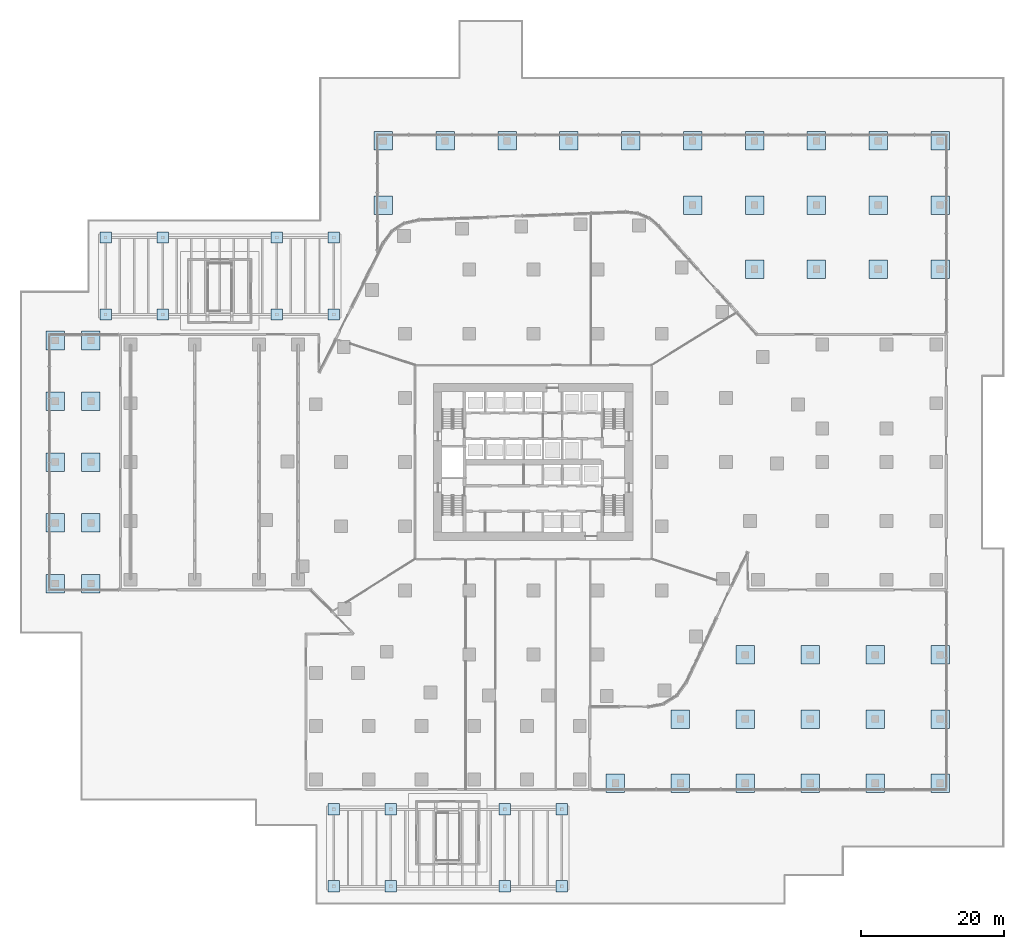
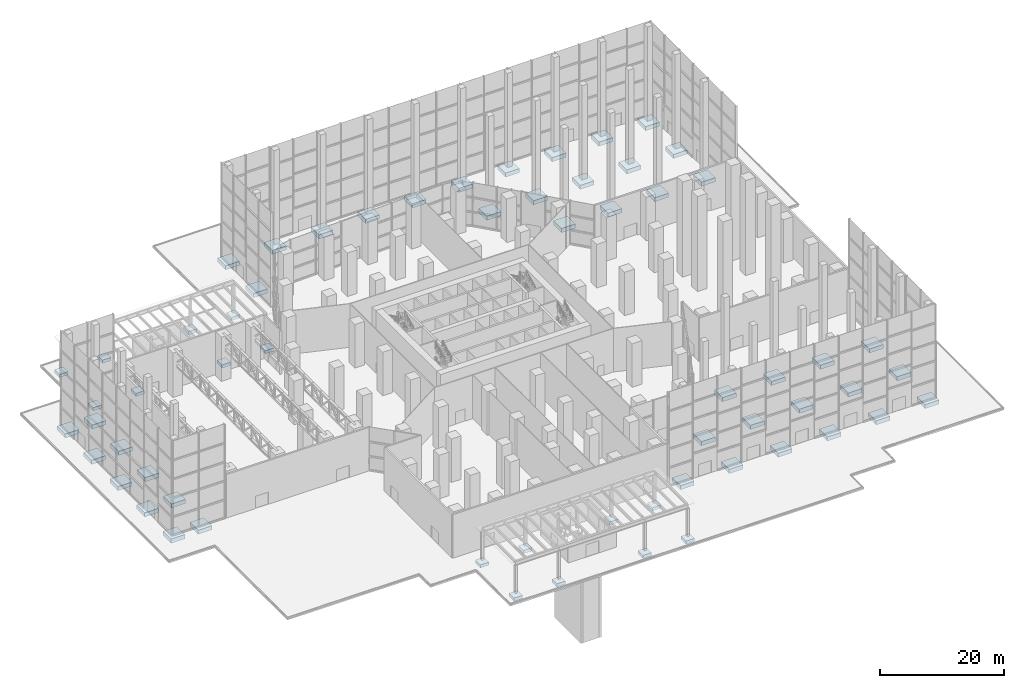
# One storey, part 1 of 40: 61 footings.
"""IFC4 building model written with IfcOpenShell, lengths in metres."""

from ifc_helpers import new_model, si_unit, direction, frame, origin, place, context, subcontext, project, spatial, polyline, outline, extrude, material, layer, layer_set, type_object, element, save


model = new_model("IFC4")

# Units and contexts
model_context = context("Model", 3, precision=1e-05, world=origin(), true_north=direction((0.0, 1.0)))
body_context = subcontext(model_context, "Body", "Model", "MODEL_VIEW")
ifc_project = project(units=[si_unit("LENGTHUNIT", "METRE"), si_unit("AREAUNIT", "SQUARE_METRE"), si_unit("VOLUMEUNIT", "CUBIC_METRE"), si_unit("PLANEANGLEUNIT", "RADIAN"), si_unit("MASSUNIT", "GRAM", prefix="KILO")], contexts=[model_context])

# Site, building, storey
site_placement = place(None, origin())
site = spatial("IfcSite", under=ifc_project, at=site_placement, CompositionType="ELEMENT")
building_placement = place(site_placement, origin())
building = spatial("IfcBuilding", under=site, at=building_placement, Name="Dongbaek Canopy Tower", CompositionType="ELEMENT")
storey_placement = place(building_placement, origin())
storey = spatial("IfcBuildingStorey", under=building, at=storey_placement, Name="L00", CompositionType="ELEMENT", Elevation=0.0)

# Footings
ifc_material_1 = material(Name="Concrete C40", Category="concrete")
ifc_layer_1 = layer(ifc_material_1, 0.60009765625)
ifc_layer_set_1 = layer_set([ifc_layer_1], Name="Canopy pad footing 1600 x 600 Concrete C40")
footing_type_1 = type_object("IfcFootingType", Name="Canopy pad footing 1600 x 600 Concrete C40", PredefinedType="PAD_FOOTING", material=ifc_layer_set_1)
footing_1_placement = place(storey_placement, frame((0.0, 0.0, -0.89990234375)))
element("IfcFooting", 1, at=footing_1_placement, inside=storey, type_object=footing_type_1, Name="Station canopy A footing 1", PredefinedType="PAD_FOOTING", context=body_context, shape_type="SweptSolid", body=[
    extrude(outline(polyline([(-28.800048828125, -49.5), (-27.199951171875, -49.5), (-27.199951171875, -47.89990234375), (-28.800048828125, -47.89990234375), (-28.800048828125, -49.5)])), origin(), (0.0, 0.0, 1.0), 0.599853515625),
])
footing_2_placement = place(storey_placement, frame((0.0, 0.0, -0.89990234375)))
element("IfcFooting", 2, at=footing_2_placement, inside=storey, type_object=footing_type_1, Name="Station canopy A footing 2", PredefinedType="PAD_FOOTING", context=body_context, shape_type="SweptSolid", body=[
    extrude(outline(polyline([(-28.800048828125, -60.300048828125), (-27.199951171875, -60.300048828125), (-27.199951171875, -58.699951171875), (-28.800048828125, -58.699951171875), (-28.800048828125, -60.300048828125)])), origin(), (0.0, 0.0, 1.0), 0.599853515625),
])
footing_3_placement = place(storey_placement, frame((0.0, 0.0, -0.89990234375)))
element("IfcFooting", 3, at=footing_3_placement, inside=storey, type_object=footing_type_1, Name="Station canopy A footing 3", PredefinedType="PAD_FOOTING", context=body_context, shape_type="SweptSolid", body=[
    extrude(outline(polyline([(-20.800048828125, -49.5), (-19.199951171875, -49.5), (-19.199951171875, -47.89990234375), (-20.800048828125, -47.89990234375), (-20.800048828125, -49.5)])), origin(), (0.0, 0.0, 1.0), 0.599853515625),
])
footing_4_placement = place(storey_placement, frame((0.0, 0.0, -0.89990234375)))
element("IfcFooting", 4, at=footing_4_placement, inside=storey, type_object=footing_type_1, Name="Station canopy A footing 4", PredefinedType="PAD_FOOTING", context=body_context, shape_type="SweptSolid", body=[
    extrude(outline(polyline([(-20.800048828125, -60.300048828125), (-19.199951171875, -60.300048828125), (-19.199951171875, -58.699951171875), (-20.800048828125, -58.699951171875), (-20.800048828125, -60.300048828125)])), origin(), (0.0, 0.0, 1.0), 0.599853515625),
])
footing_5_placement = place(storey_placement, frame((0.0, 0.0, -0.89990234375)))
element("IfcFooting", 5, at=footing_5_placement, inside=storey, type_object=footing_type_1, Name="Station canopy A footing 5", PredefinedType="PAD_FOOTING", context=body_context, shape_type="SweptSolid", body=[
    extrude(outline(polyline([(-4.800048828125, -49.5), (-3.199951171875, -49.5), (-3.199951171875, -47.89990234375), (-4.800048828125, -47.89990234375), (-4.800048828125, -49.5)])), origin(), (0.0, 0.0, 1.0), 0.599853515625),
])
footing_6_placement = place(storey_placement, frame((0.0, 0.0, -0.89990234375)))
element("IfcFooting", 6, at=footing_6_placement, inside=storey, type_object=footing_type_1, Name="Station canopy A footing 6", PredefinedType="PAD_FOOTING", context=body_context, shape_type="SweptSolid", body=[
    extrude(outline(polyline([(-4.800048828125, -60.300048828125), (-3.199951171875, -60.300048828125), (-3.199951171875, -58.699951171875), (-4.800048828125, -58.699951171875), (-4.800048828125, -60.300048828125)])), origin(), (0.0, 0.0, 1.0), 0.599853515625),
])
footing_7_placement = place(storey_placement, frame((0.0, 0.0, -0.89990234375)))
element("IfcFooting", 7, at=footing_7_placement, inside=storey, type_object=footing_type_1, Name="Station canopy A footing 7", PredefinedType="PAD_FOOTING", context=body_context, shape_type="SweptSolid", body=[
    extrude(outline(polyline([(3.199951171875, -49.5), (4.800048828125, -49.5), (4.800048828125, -47.89990234375), (3.199951171875, -47.89990234375), (3.199951171875, -49.5)])), origin(), (0.0, 0.0, 1.0), 0.599853515625),
])
footing_8_placement = place(storey_placement, frame((0.0, 0.0, -0.89990234375)))
element("IfcFooting", 8, at=footing_8_placement, inside=storey, type_object=footing_type_1, Name="Station canopy A footing 8", PredefinedType="PAD_FOOTING", context=body_context, shape_type="SweptSolid", body=[
    extrude(outline(polyline([(3.199951171875, -60.300048828125), (4.800048828125, -60.300048828125), (4.800048828125, -58.699951171875), (3.199951171875, -58.699951171875), (3.199951171875, -60.300048828125)])), origin(), (0.0, 0.0, 1.0), 0.599853515625),
])
footing_9_placement = place(storey_placement, frame((0.0, 0.0, -0.89990234375)))
element("IfcFooting", 9, at=footing_9_placement, inside=storey, type_object=footing_type_1, Name="Station canopy B footing 1", PredefinedType="PAD_FOOTING", context=body_context, shape_type="SweptSolid", body=[
    extrude(outline(polyline([(-60.800048828125, 19.89990234375), (-59.199951171875, 19.89990234375), (-59.199951171875, 21.5), (-60.800048828125, 21.5), (-60.800048828125, 19.89990234375)])), origin(), (0.0, 0.0, 1.0), 0.599853515625),
])
footing_10_placement = place(storey_placement, frame((0.0, 0.0, -0.89990234375)))
element("IfcFooting", 10, at=footing_10_placement, inside=storey, type_object=footing_type_1, Name="Station canopy B footing 2", PredefinedType="PAD_FOOTING", context=body_context, shape_type="SweptSolid", body=[
    extrude(outline(polyline([(-60.800048828125, 30.699951171875), (-59.199951171875, 30.699951171875), (-59.199951171875, 32.300048828125), (-60.800048828125, 32.300048828125), (-60.800048828125, 30.699951171875)])), origin(), (0.0, 0.0, 1.0), 0.599853515625),
])
footing_11_placement = place(storey_placement, frame((0.0, 0.0, -0.89990234375)))
element("IfcFooting", 11, at=footing_11_placement, inside=storey, type_object=footing_type_1, Name="Station canopy B footing 3", PredefinedType="PAD_FOOTING", context=body_context, shape_type="SweptSolid", body=[
    extrude(outline(polyline([(-52.800048828125, 19.89990234375), (-51.199951171875, 19.89990234375), (-51.199951171875, 21.5), (-52.800048828125, 21.5), (-52.800048828125, 19.89990234375)])), origin(), (0.0, 0.0, 1.0), 0.599853515625),
])
footing_12_placement = place(storey_placement, frame((0.0, 0.0, -0.89990234375)))
element("IfcFooting", 12, at=footing_12_placement, inside=storey, type_object=footing_type_1, Name="Station canopy B footing 4", PredefinedType="PAD_FOOTING", context=body_context, shape_type="SweptSolid", body=[
    extrude(outline(polyline([(-52.800048828125, 30.699951171875), (-51.199951171875, 30.699951171875), (-51.199951171875, 32.300048828125), (-52.800048828125, 32.300048828125), (-52.800048828125, 30.699951171875)])), origin(), (0.0, 0.0, 1.0), 0.599853515625),
])
footing_13_placement = place(storey_placement, frame((0.0, 0.0, -0.89990234375)))
element("IfcFooting", 13, at=footing_13_placement, inside=storey, type_object=footing_type_1, Name="Station canopy B footing 5", PredefinedType="PAD_FOOTING", context=body_context, shape_type="SweptSolid", body=[
    extrude(outline(polyline([(-36.800048828125, 19.89990234375), (-35.199951171875, 19.89990234375), (-35.199951171875, 21.5), (-36.800048828125, 21.5), (-36.800048828125, 19.89990234375)])), origin(), (0.0, 0.0, 1.0), 0.599853515625),
])
footing_14_placement = place(storey_placement, frame((0.0, 0.0, -0.89990234375)))
element("IfcFooting", 14, at=footing_14_placement, inside=storey, type_object=footing_type_1, Name="Station canopy B footing 6", PredefinedType="PAD_FOOTING", context=body_context, shape_type="SweptSolid", body=[
    extrude(outline(polyline([(-36.800048828125, 30.699951171875), (-35.199951171875, 30.699951171875), (-35.199951171875, 32.300048828125), (-36.800048828125, 32.300048828125), (-36.800048828125, 30.699951171875)])), origin(), (0.0, 0.0, 1.0), 0.599853515625),
])
footing_15_placement = place(storey_placement, frame((0.0, 0.0, -0.89990234375)))
element("IfcFooting", 15, at=footing_15_placement, inside=storey, type_object=footing_type_1, Name="Station canopy B footing 7", PredefinedType="PAD_FOOTING", context=body_context, shape_type="SweptSolid", body=[
    extrude(outline(polyline([(-28.800048828125, 19.89990234375), (-27.199951171875, 19.89990234375), (-27.199951171875, 21.5), (-28.800048828125, 21.5), (-28.800048828125, 19.89990234375)])), origin(), (0.0, 0.0, 1.0), 0.599853515625),
])
footing_16_placement = place(storey_placement, frame((0.0, 0.0, -0.89990234375)))
element("IfcFooting", 16, at=footing_16_placement, inside=storey, type_object=footing_type_1, Name="Station canopy B footing 8", PredefinedType="PAD_FOOTING", context=body_context, shape_type="SweptSolid", body=[
    extrude(outline(polyline([(-28.800048828125, 30.699951171875), (-27.199951171875, 30.699951171875), (-27.199951171875, 32.300048828125), (-28.800048828125, 32.300048828125), (-28.800048828125, 30.699951171875)])), origin(), (0.0, 0.0, 1.0), 0.599853515625),
])
ifc_material_2 = material(Name="Concrete C40", Category="concrete")
ifc_layer_2 = layer(ifc_material_2, 0.800048828125)
ifc_layer_set_2 = layer_set([ifc_layer_2], Name="Hall pad footing 2600 x 800 Concrete C40")
footing_type_2 = type_object("IfcFootingType", Name="Hall pad footing 2600 x 800 Concrete C40", PredefinedType="PAD_FOOTING", material=ifc_layer_set_2)
footing_17_placement = place(storey_placement, frame((0.0, 0.0, -1.10009765625)))
element("IfcFooting", 17, at=footing_17_placement, inside=storey, type_object=footing_type_2, Name="Hall column footing 1", PredefinedType="PAD_FOOTING", context=body_context, shape_type="SweptSolid", body=[
    extrude(outline(polyline([(-22.35009765625, 43.75), (-19.75, 43.75), (-19.75, 46.35009765625), (-22.35009765625, 46.35009765625), (-22.35009765625, 43.75)])), origin(), (0.0, 0.0, 1.0), 0.800048828125),
])
footing_18_placement = place(storey_placement, frame((0.0, 0.0, -1.10009765625)))
element("IfcFooting", 18, at=footing_18_placement, inside=storey, type_object=footing_type_2, Name="Hall column footing 2", PredefinedType="PAD_FOOTING", context=body_context, shape_type="SweptSolid", body=[
    extrude(outline(polyline([(-13.672119140625, 43.75), (-11.072021484375, 43.75), (-11.072021484375, 46.35009765625), (-13.672119140625, 46.35009765625), (-13.672119140625, 43.75)])), origin(), (0.0, 0.0, 1.0), 0.800048828125),
])
footing_19_placement = place(storey_placement, frame((0.0, 0.0, -1.10009765625)))
element("IfcFooting", 19, at=footing_19_placement, inside=storey, type_object=footing_type_2, Name="Hall column footing 3", PredefinedType="PAD_FOOTING", context=body_context, shape_type="SweptSolid", body=[
    extrude(outline(polyline([(-4.993896484375, 43.75), (-2.39404296875, 43.75), (-2.39404296875, 46.35009765625), (-4.993896484375, 46.35009765625), (-4.993896484375, 43.75)])), origin(), (0.0, 0.0, 1.0), 0.800048828125),
])
footing_20_placement = place(storey_placement, frame((0.0, 0.0, -1.10009765625)))
element("IfcFooting", 20, at=footing_20_placement, inside=storey, type_object=footing_type_2, Name="Hall column footing 4", PredefinedType="PAD_FOOTING", context=body_context, shape_type="SweptSolid", body=[
    extrude(outline(polyline([(3.68310546875, 43.75), (6.282958984375, 43.75), (6.282958984375, 46.35009765625), (3.68310546875, 46.35009765625), (3.68310546875, 43.75)])), origin(), (0.0, 0.0, 1.0), 0.800048828125),
])
footing_21_placement = place(storey_placement, frame((0.0, 0.0, -1.10009765625)))
element("IfcFooting", 21, at=footing_21_placement, inside=storey, type_object=footing_type_2, Name="Hall column footing 5", PredefinedType="PAD_FOOTING", context=body_context, shape_type="SweptSolid", body=[
    extrude(outline(polyline([(12.361083984375, 43.75), (14.9609375, 43.75), (14.9609375, 46.35009765625), (12.361083984375, 46.35009765625), (12.361083984375, 43.75)])), origin(), (0.0, 0.0, 1.0), 0.800048828125),
])
footing_22_placement = place(storey_placement, frame((0.0, 0.0, -1.10009765625)))
element("IfcFooting", 22, at=footing_22_placement, inside=storey, type_object=footing_type_2, Name="Hall column footing 6", PredefinedType="PAD_FOOTING", context=body_context, shape_type="SweptSolid", body=[
    extrude(outline(polyline([(21.0390625, 43.75), (23.638916015625, 43.75), (23.638916015625, 46.35009765625), (21.0390625, 46.35009765625), (21.0390625, 43.75)])), origin(), (0.0, 0.0, 1.0), 0.800048828125),
])
footing_23_placement = place(storey_placement, frame((0.0, 0.0, -1.10009765625)))
element("IfcFooting", 23, at=footing_23_placement, inside=storey, type_object=footing_type_2, Name="Hall column footing 7", PredefinedType="PAD_FOOTING", context=body_context, shape_type="SweptSolid", body=[
    extrude(outline(polyline([(29.717041015625, 43.75), (32.31689453125, 43.75), (32.31689453125, 46.35009765625), (29.717041015625, 46.35009765625), (29.717041015625, 43.75)])), origin(), (0.0, 0.0, 1.0), 0.800048828125),
])
footing_24_placement = place(storey_placement, frame((0.0, 0.0, -1.10009765625)))
element("IfcFooting", 24, at=footing_24_placement, inside=storey, type_object=footing_type_2, Name="Hall column footing 8", PredefinedType="PAD_FOOTING", context=body_context, shape_type="SweptSolid", body=[
    extrude(outline(polyline([(38.39404296875, 43.75), (40.993896484375, 43.75), (40.993896484375, 46.35009765625), (38.39404296875, 46.35009765625), (38.39404296875, 43.75)])), origin(), (0.0, 0.0, 1.0), 0.800048828125),
])
footing_25_placement = place(storey_placement, frame((0.0, 0.0, -1.10009765625)))
element("IfcFooting", 25, at=footing_25_placement, inside=storey, type_object=footing_type_2, Name="Hall column footing 9", PredefinedType="PAD_FOOTING", context=body_context, shape_type="SweptSolid", body=[
    extrude(outline(polyline([(47.072021484375, 43.75), (49.672119140625, 43.75), (49.672119140625, 46.35009765625), (47.072021484375, 46.35009765625), (47.072021484375, 43.75)])), origin(), (0.0, 0.0, 1.0), 0.800048828125),
])
footing_26_placement = place(storey_placement, frame((0.0, 0.0, -1.10009765625)))
element("IfcFooting", 26, at=footing_26_placement, inside=storey, type_object=footing_type_2, Name="Hall column footing 10", PredefinedType="PAD_FOOTING", context=body_context, shape_type="SweptSolid", body=[
    extrude(outline(polyline([(55.75, 43.75), (58.35009765625, 43.75), (58.35009765625, 46.35009765625), (55.75, 46.35009765625), (55.75, 43.75)])), origin(), (0.0, 0.0, 1.0), 0.800048828125),
])
footing_27_placement = place(storey_placement, frame((0.0, 0.0, -1.10009765625)))
element("IfcFooting", 27, at=footing_27_placement, inside=storey, type_object=footing_type_2, Name="Hall column footing 11", PredefinedType="PAD_FOOTING", context=body_context, shape_type="SweptSolid", body=[
    extrude(outline(polyline([(-22.35009765625, 34.75), (-19.75, 34.75), (-19.75, 37.35009765625), (-22.35009765625, 37.35009765625), (-22.35009765625, 34.75)])), origin(), (0.0, 0.0, 1.0), 0.800048828125),
])
footing_28_placement = place(storey_placement, frame((0.0, 0.0, -1.10009765625)))
element("IfcFooting", 28, at=footing_28_placement, inside=storey, type_object=footing_type_2, Name="Hall column footing 12", PredefinedType="PAD_FOOTING", context=body_context, shape_type="SweptSolid", body=[
    extrude(outline(polyline([(21.0390625, 34.75), (23.638916015625, 34.75), (23.638916015625, 37.35009765625), (21.0390625, 37.35009765625), (21.0390625, 34.75)])), origin(), (0.0, 0.0, 1.0), 0.800048828125),
])
footing_29_placement = place(storey_placement, frame((0.0, 0.0, -1.10009765625)))
element("IfcFooting", 29, at=footing_29_placement, inside=storey, type_object=footing_type_2, Name="Hall column footing 13", PredefinedType="PAD_FOOTING", context=body_context, shape_type="SweptSolid", body=[
    extrude(outline(polyline([(29.717041015625, 34.75), (32.31689453125, 34.75), (32.31689453125, 37.35009765625), (29.717041015625, 37.35009765625), (29.717041015625, 34.75)])), origin(), (0.0, 0.0, 1.0), 0.800048828125),
])
footing_30_placement = place(storey_placement, frame((0.0, 0.0, -1.10009765625)))
element("IfcFooting", 30, at=footing_30_placement, inside=storey, type_object=footing_type_2, Name="Hall column footing 14", PredefinedType="PAD_FOOTING", context=body_context, shape_type="SweptSolid", body=[
    extrude(outline(polyline([(38.39404296875, 34.75), (40.993896484375, 34.75), (40.993896484375, 37.35009765625), (38.39404296875, 37.35009765625), (38.39404296875, 34.75)])), origin(), (0.0, 0.0, 1.0), 0.800048828125),
])
footing_31_placement = place(storey_placement, frame((0.0, 0.0, -1.10009765625)))
element("IfcFooting", 31, at=footing_31_placement, inside=storey, type_object=footing_type_2, Name="Hall column footing 15", PredefinedType="PAD_FOOTING", context=body_context, shape_type="SweptSolid", body=[
    extrude(outline(polyline([(47.072021484375, 34.75), (49.672119140625, 34.75), (49.672119140625, 37.35009765625), (47.072021484375, 37.35009765625), (47.072021484375, 34.75)])), origin(), (0.0, 0.0, 1.0), 0.800048828125),
])
footing_32_placement = place(storey_placement, frame((0.0, 0.0, -1.10009765625)))
element("IfcFooting", 32, at=footing_32_placement, inside=storey, type_object=footing_type_2, Name="Hall column footing 16", PredefinedType="PAD_FOOTING", context=body_context, shape_type="SweptSolid", body=[
    extrude(outline(polyline([(55.75, 34.75), (58.35009765625, 34.75), (58.35009765625, 37.35009765625), (55.75, 37.35009765625), (55.75, 34.75)])), origin(), (0.0, 0.0, 1.0), 0.800048828125),
])
footing_33_placement = place(storey_placement, frame((0.0, 0.0, -1.10009765625)))
element("IfcFooting", 33, at=footing_33_placement, inside=storey, type_object=footing_type_2, Name="Hall column footing 17", PredefinedType="PAD_FOOTING", context=body_context, shape_type="SweptSolid", body=[
    extrude(outline(polyline([(29.717041015625, 25.75), (32.31689453125, 25.75), (32.31689453125, 28.35009765625), (29.717041015625, 28.35009765625), (29.717041015625, 25.75)])), origin(), (0.0, 0.0, 1.0), 0.800048828125),
])
footing_34_placement = place(storey_placement, frame((0.0, 0.0, -1.10009765625)))
element("IfcFooting", 34, at=footing_34_placement, inside=storey, type_object=footing_type_2, Name="Hall column footing 18", PredefinedType="PAD_FOOTING", context=body_context, shape_type="SweptSolid", body=[
    extrude(outline(polyline([(38.39404296875, 25.75), (40.993896484375, 25.75), (40.993896484375, 28.35009765625), (38.39404296875, 28.35009765625), (38.39404296875, 25.75)])), origin(), (0.0, 0.0, 1.0), 0.800048828125),
])
footing_35_placement = place(storey_placement, frame((0.0, 0.0, -1.10009765625)))
element("IfcFooting", 35, at=footing_35_placement, inside=storey, type_object=footing_type_2, Name="Hall column footing 19", PredefinedType="PAD_FOOTING", context=body_context, shape_type="SweptSolid", body=[
    extrude(outline(polyline([(47.072021484375, 25.75), (49.672119140625, 25.75), (49.672119140625, 28.35009765625), (47.072021484375, 28.35009765625), (47.072021484375, 25.75)])), origin(), (0.0, 0.0, 1.0), 0.800048828125),
])
footing_36_placement = place(storey_placement, frame((0.0, 0.0, -1.10009765625)))
element("IfcFooting", 36, at=footing_36_placement, inside=storey, type_object=footing_type_2, Name="Hall column footing 20", PredefinedType="PAD_FOOTING", context=body_context, shape_type="SweptSolid", body=[
    extrude(outline(polyline([(55.75, 25.75), (58.35009765625, 25.75), (58.35009765625, 28.35009765625), (55.75, 28.35009765625), (55.75, 25.75)])), origin(), (0.0, 0.0, 1.0), 0.800048828125),
])
footing_37_placement = place(storey_placement, frame((0.0, 0.0, -1.10009765625)))
element("IfcFooting", 37, at=footing_37_placement, inside=storey, type_object=footing_type_2, Name="Hall column footing 21", PredefinedType="PAD_FOOTING", context=body_context, shape_type="SweptSolid", body=[
    extrude(outline(polyline([(10.199951171875, -46.35009765625), (12.800048828125, -46.35009765625), (12.800048828125, -43.75), (10.199951171875, -43.75), (10.199951171875, -46.35009765625)])), origin(), (0.0, 0.0, 1.0), 0.800048828125),
])
footing_38_placement = place(storey_placement, frame((0.0, 0.0, -1.10009765625)))
element("IfcFooting", 38, at=footing_38_placement, inside=storey, type_object=footing_type_2, Name="Hall column footing 22", PredefinedType="PAD_FOOTING", context=body_context, shape_type="SweptSolid", body=[
    extrude(outline(polyline([(19.31005859375, -46.35009765625), (21.909912109375, -46.35009765625), (21.909912109375, -43.75), (19.31005859375, -43.75), (19.31005859375, -46.35009765625)])), origin(), (0.0, 0.0, 1.0), 0.800048828125),
])
footing_39_placement = place(storey_placement, frame((0.0, 0.0, -1.10009765625)))
element("IfcFooting", 39, at=footing_39_placement, inside=storey, type_object=footing_type_2, Name="Hall column footing 23", PredefinedType="PAD_FOOTING", context=body_context, shape_type="SweptSolid", body=[
    extrude(outline(polyline([(28.419921875, -46.35009765625), (31.02001953125, -46.35009765625), (31.02001953125, -43.75), (28.419921875, -43.75), (28.419921875, -46.35009765625)])), origin(), (0.0, 0.0, 1.0), 0.800048828125),
])
footing_40_placement = place(storey_placement, frame((0.0, 0.0, -1.10009765625)))
element("IfcFooting", 40, at=footing_40_placement, inside=storey, type_object=footing_type_2, Name="Hall column footing 24", PredefinedType="PAD_FOOTING", context=body_context, shape_type="SweptSolid", body=[
    extrude(outline(polyline([(37.530029296875, -46.35009765625), (40.1298828125, -46.35009765625), (40.1298828125, -43.75), (37.530029296875, -43.75), (37.530029296875, -46.35009765625)])), origin(), (0.0, 0.0, 1.0), 0.800048828125),
])
footing_41_placement = place(storey_placement, frame((0.0, 0.0, -1.10009765625)))
element("IfcFooting", 41, at=footing_41_placement, inside=storey, type_object=footing_type_2, Name="Hall column footing 25", PredefinedType="PAD_FOOTING", context=body_context, shape_type="SweptSolid", body=[
    extrude(outline(polyline([(46.639892578125, -46.35009765625), (49.239990234375, -46.35009765625), (49.239990234375, -43.75), (46.639892578125, -43.75), (46.639892578125, -46.35009765625)])), origin(), (0.0, 0.0, 1.0), 0.800048828125),
])
footing_42_placement = place(storey_placement, frame((0.0, 0.0, -1.10009765625)))
element("IfcFooting", 42, at=footing_42_placement, inside=storey, type_object=footing_type_2, Name="Hall column footing 26", PredefinedType="PAD_FOOTING", context=body_context, shape_type="SweptSolid", body=[
    extrude(outline(polyline([(55.75, -46.35009765625), (58.35009765625, -46.35009765625), (58.35009765625, -43.75), (55.75, -43.75), (55.75, -46.35009765625)])), origin(), (0.0, 0.0, 1.0), 0.800048828125),
])
footing_43_placement = place(storey_placement, frame((0.0, 0.0, -1.10009765625)))
element("IfcFooting", 43, at=footing_43_placement, inside=storey, type_object=footing_type_2, Name="Hall column footing 27", PredefinedType="PAD_FOOTING", context=body_context, shape_type="SweptSolid", body=[
    extrude(outline(polyline([(19.31005859375, -37.35009765625), (21.909912109375, -37.35009765625), (21.909912109375, -34.75), (19.31005859375, -34.75), (19.31005859375, -37.35009765625)])), origin(), (0.0, 0.0, 1.0), 0.800048828125),
])
footing_44_placement = place(storey_placement, frame((0.0, 0.0, -1.10009765625)))
element("IfcFooting", 44, at=footing_44_placement, inside=storey, type_object=footing_type_2, Name="Hall column footing 28", PredefinedType="PAD_FOOTING", context=body_context, shape_type="SweptSolid", body=[
    extrude(outline(polyline([(28.419921875, -37.35009765625), (31.02001953125, -37.35009765625), (31.02001953125, -34.75), (28.419921875, -34.75), (28.419921875, -37.35009765625)])), origin(), (0.0, 0.0, 1.0), 0.800048828125),
])
footing_45_placement = place(storey_placement, frame((0.0, 0.0, -1.10009765625)))
element("IfcFooting", 45, at=footing_45_placement, inside=storey, type_object=footing_type_2, Name="Hall column footing 29", PredefinedType="PAD_FOOTING", context=body_context, shape_type="SweptSolid", body=[
    extrude(outline(polyline([(37.530029296875, -37.35009765625), (40.1298828125, -37.35009765625), (40.1298828125, -34.75), (37.530029296875, -34.75), (37.530029296875, -37.35009765625)])), origin(), (0.0, 0.0, 1.0), 0.800048828125),
])
footing_46_placement = place(storey_placement, frame((0.0, 0.0, -1.10009765625)))
element("IfcFooting", 46, at=footing_46_placement, inside=storey, type_object=footing_type_2, Name="Hall column footing 30", PredefinedType="PAD_FOOTING", context=body_context, shape_type="SweptSolid", body=[
    extrude(outline(polyline([(46.639892578125, -37.35009765625), (49.239990234375, -37.35009765625), (49.239990234375, -34.75), (46.639892578125, -34.75), (46.639892578125, -37.35009765625)])), origin(), (0.0, 0.0, 1.0), 0.800048828125),
])
footing_47_placement = place(storey_placement, frame((0.0, 0.0, -1.10009765625)))
element("IfcFooting", 47, at=footing_47_placement, inside=storey, type_object=footing_type_2, Name="Hall column footing 31", PredefinedType="PAD_FOOTING", context=body_context, shape_type="SweptSolid", body=[
    extrude(outline(polyline([(55.75, -37.35009765625), (58.35009765625, -37.35009765625), (58.35009765625, -34.75), (55.75, -34.75), (55.75, -37.35009765625)])), origin(), (0.0, 0.0, 1.0), 0.800048828125),
])
footing_48_placement = place(storey_placement, frame((0.0, 0.0, -1.10009765625)))
element("IfcFooting", 48, at=footing_48_placement, inside=storey, type_object=footing_type_2, Name="Hall column footing 32", PredefinedType="PAD_FOOTING", context=body_context, shape_type="SweptSolid", body=[
    extrude(outline(polyline([(28.419921875, -28.35009765625), (31.02001953125, -28.35009765625), (31.02001953125, -25.75), (28.419921875, -25.75), (28.419921875, -28.35009765625)])), origin(), (0.0, 0.0, 1.0), 0.800048828125),
])
footing_49_placement = place(storey_placement, frame((0.0, 0.0, -1.10009765625)))
element("IfcFooting", 49, at=footing_49_placement, inside=storey, type_object=footing_type_2, Name="Hall column footing 33", PredefinedType="PAD_FOOTING", context=body_context, shape_type="SweptSolid", body=[
    extrude(outline(polyline([(37.530029296875, -28.35009765625), (40.1298828125, -28.35009765625), (40.1298828125, -25.75), (37.530029296875, -25.75), (37.530029296875, -28.35009765625)])), origin(), (0.0, 0.0, 1.0), 0.800048828125),
])
footing_50_placement = place(storey_placement, frame((0.0, 0.0, -1.10009765625)))
element("IfcFooting", 50, at=footing_50_placement, inside=storey, type_object=footing_type_2, Name="Hall column footing 34", PredefinedType="PAD_FOOTING", context=body_context, shape_type="SweptSolid", body=[
    extrude(outline(polyline([(46.639892578125, -28.35009765625), (49.239990234375, -28.35009765625), (49.239990234375, -25.75), (46.639892578125, -25.75), (46.639892578125, -28.35009765625)])), origin(), (0.0, 0.0, 1.0), 0.800048828125),
])
footing_51_placement = place(storey_placement, frame((0.0, 0.0, -1.10009765625)))
element("IfcFooting", 51, at=footing_51_placement, inside=storey, type_object=footing_type_2, Name="Hall column footing 35", PredefinedType="PAD_FOOTING", context=body_context, shape_type="SweptSolid", body=[
    extrude(outline(polyline([(55.75, -28.35009765625), (58.35009765625, -28.35009765625), (58.35009765625, -25.75), (55.75, -25.75), (55.75, -28.35009765625)])), origin(), (0.0, 0.0, 1.0), 0.800048828125),
])
footing_52_placement = place(storey_placement, frame((0.0, 0.0, -1.10009765625)))
element("IfcFooting", 52, at=footing_52_placement, inside=storey, type_object=footing_type_2, Name="Hall column footing 36", PredefinedType="PAD_FOOTING", context=body_context, shape_type="SweptSolid", body=[
    extrude(outline(polyline([(-68.35009765625, -18.35009765625), (-65.75, -18.35009765625), (-65.75, -15.75), (-68.35009765625, -15.75), (-68.35009765625, -18.35009765625)])), origin(), (0.0, 0.0, 1.0), 0.800048828125),
])
footing_53_placement = place(storey_placement, frame((0.0, 0.0, -1.10009765625)))
element("IfcFooting", 53, at=footing_53_placement, inside=storey, type_object=footing_type_2, Name="Hall column footing 37", PredefinedType="PAD_FOOTING", context=body_context, shape_type="SweptSolid", body=[
    extrude(outline(polyline([(-68.35009765625, -9.824951171875), (-65.75, -9.824951171875), (-65.75, -7.22509765625), (-68.35009765625, -7.22509765625), (-68.35009765625, -9.824951171875)])), origin(), (0.0, 0.0, 1.0), 0.800048828125),
])
footing_54_placement = place(storey_placement, frame((0.0, 0.0, -1.10009765625)))
element("IfcFooting", 54, at=footing_54_placement, inside=storey, type_object=footing_type_2, Name="Hall column footing 38", PredefinedType="PAD_FOOTING", context=body_context, shape_type="SweptSolid", body=[
    extrude(outline(polyline([(-68.35009765625, -1.300048828125), (-65.75, -1.300048828125), (-65.75, 1.300048828125), (-68.35009765625, 1.300048828125), (-68.35009765625, -1.300048828125)])), origin(), (0.0, 0.0, 1.0), 0.800048828125),
])
footing_55_placement = place(storey_placement, frame((0.0, 0.0, -1.10009765625)))
element("IfcFooting", 55, at=footing_55_placement, inside=storey, type_object=footing_type_2, Name="Hall column footing 39", PredefinedType="PAD_FOOTING", context=body_context, shape_type="SweptSolid", body=[
    extrude(outline(polyline([(-68.35009765625, 7.22509765625), (-65.75, 7.22509765625), (-65.75, 9.824951171875), (-68.35009765625, 9.824951171875), (-68.35009765625, 7.22509765625)])), origin(), (0.0, 0.0, 1.0), 0.800048828125),
])
footing_56_placement = place(storey_placement, frame((0.0, 0.0, -1.10009765625)))
element("IfcFooting", 56, at=footing_56_placement, inside=storey, type_object=footing_type_2, Name="Hall column footing 40", PredefinedType="PAD_FOOTING", context=body_context, shape_type="SweptSolid", body=[
    extrude(outline(polyline([(-68.35009765625, 15.75), (-65.75, 15.75), (-65.75, 18.35009765625), (-68.35009765625, 18.35009765625), (-68.35009765625, 15.75)])), origin(), (0.0, 0.0, 1.0), 0.800048828125),
])
footing_57_placement = place(storey_placement, frame((0.0, 0.0, -1.10009765625)))
element("IfcFooting", 57, at=footing_57_placement, inside=storey, type_object=footing_type_2, Name="Hall column footing 41", PredefinedType="PAD_FOOTING", context=body_context, shape_type="SweptSolid", body=[
    extrude(outline(polyline([(-63.35009765625, -18.35009765625), (-60.75, -18.35009765625), (-60.75, -15.75), (-63.35009765625, -15.75), (-63.35009765625, -18.35009765625)])), origin(), (0.0, 0.0, 1.0), 0.800048828125),
])
footing_58_placement = place(storey_placement, frame((0.0, 0.0, -1.10009765625)))
element("IfcFooting", 58, at=footing_58_placement, inside=storey, type_object=footing_type_2, Name="Hall column footing 42", PredefinedType="PAD_FOOTING", context=body_context, shape_type="SweptSolid", body=[
    extrude(outline(polyline([(-63.35009765625, -9.824951171875), (-60.75, -9.824951171875), (-60.75, -7.22509765625), (-63.35009765625, -7.22509765625), (-63.35009765625, -9.824951171875)])), origin(), (0.0, 0.0, 1.0), 0.800048828125),
])
footing_59_placement = place(storey_placement, frame((0.0, 0.0, -1.10009765625)))
element("IfcFooting", 59, at=footing_59_placement, inside=storey, type_object=footing_type_2, Name="Hall column footing 43", PredefinedType="PAD_FOOTING", context=body_context, shape_type="SweptSolid", body=[
    extrude(outline(polyline([(-63.35009765625, -1.300048828125), (-60.75, -1.300048828125), (-60.75, 1.300048828125), (-63.35009765625, 1.300048828125), (-63.35009765625, -1.300048828125)])), origin(), (0.0, 0.0, 1.0), 0.800048828125),
])
footing_60_placement = place(storey_placement, frame((0.0, 0.0, -1.10009765625)))
element("IfcFooting", 60, at=footing_60_placement, inside=storey, type_object=footing_type_2, Name="Hall column footing 44", PredefinedType="PAD_FOOTING", context=body_context, shape_type="SweptSolid", body=[
    extrude(outline(polyline([(-63.35009765625, 7.22509765625), (-60.75, 7.22509765625), (-60.75, 9.824951171875), (-63.35009765625, 9.824951171875), (-63.35009765625, 7.22509765625)])), origin(), (0.0, 0.0, 1.0), 0.800048828125),
])
footing_61_placement = place(storey_placement, frame((0.0, 0.0, -1.10009765625)))
element("IfcFooting", 61, at=footing_61_placement, inside=storey, type_object=footing_type_2, Name="Hall column footing 45", PredefinedType="PAD_FOOTING", context=body_context, shape_type="SweptSolid", body=[
    extrude(outline(polyline([(-63.35009765625, 15.75), (-60.75, 15.75), (-60.75, 18.35009765625), (-63.35009765625, 18.35009765625), (-63.35009765625, 15.75)])), origin(), (0.0, 0.0, 1.0), 0.800048828125),
])

save(model, "model.ifc")
